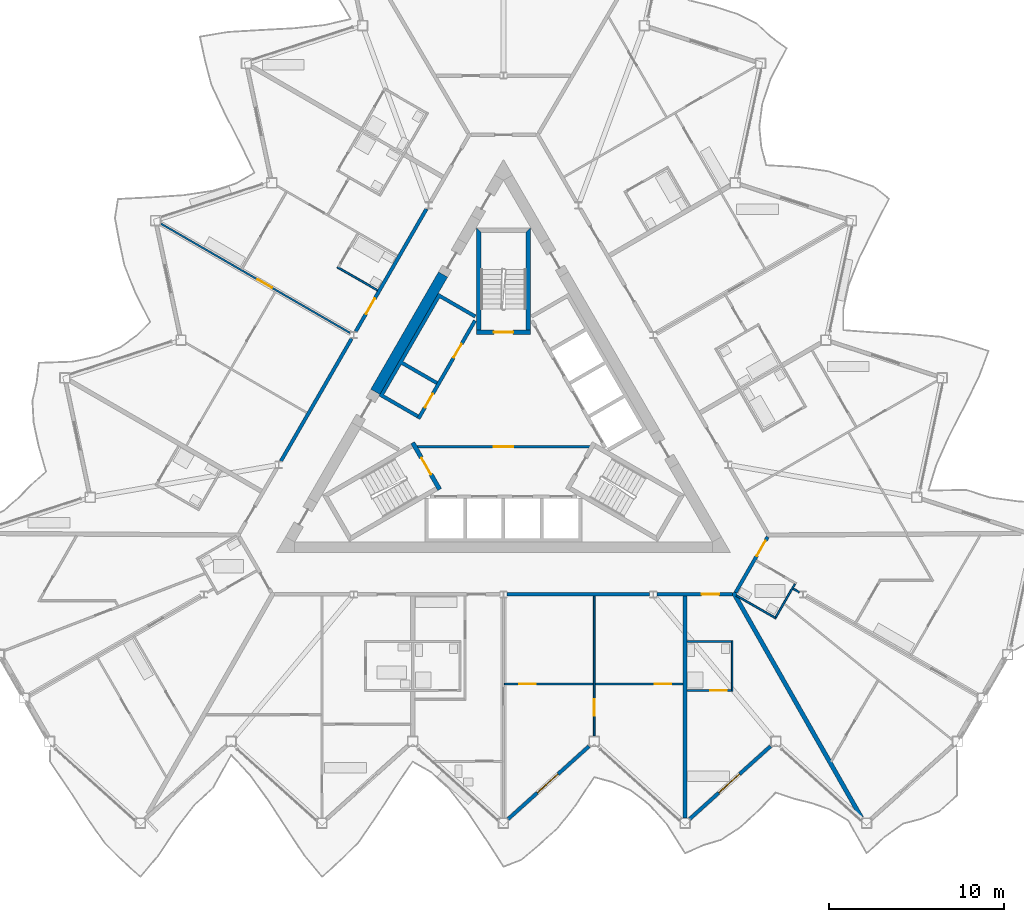
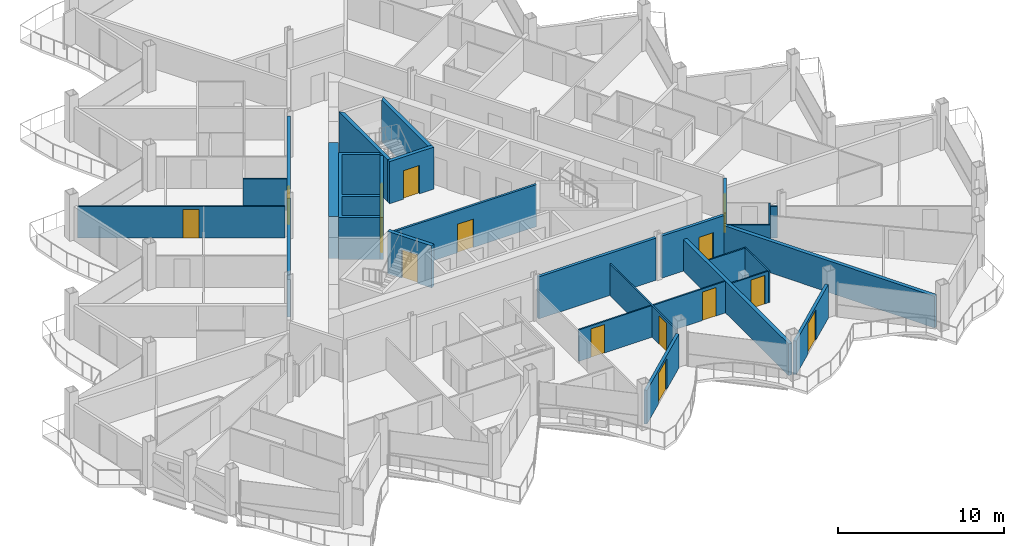
# One storey, part 14 of 26: 27 walls, 15 doors, 15 openings.
"""IFC4 building model written with IfcOpenShell, lengths in metres."""

from ifc_helpers import new_model, si_unit, direction, frame, frame_2d, origin, place, context, subcontext, project, spatial, polyline, rectangle, outline, extrude, material, layer, layer_set, type_object, element, fill, save


model = new_model("IFC4")

# Units and contexts
model_context = context("Model", 3, precision=1e-05, world=origin(), true_north=direction((0.0, 1.0)))
body_context = subcontext(model_context, "Body", "Model", "MODEL_VIEW")
ifc_project = project(units=[si_unit("LENGTHUNIT", "METRE"), si_unit("AREAUNIT", "SQUARE_METRE"), si_unit("VOLUMEUNIT", "CUBIC_METRE"), si_unit("PLANEANGLEUNIT", "RADIAN"), si_unit("MASSUNIT", "GRAM", prefix="KILO")], contexts=[model_context])

# Site, building, storey
site_placement = place(None, origin())
site = spatial("IfcSite", under=ifc_project, at=site_placement, CompositionType="ELEMENT")
building_placement = place(site_placement, origin())
building = spatial("IfcBuilding", under=site, at=building_placement, Name="Cormorant Prow Tower", CompositionType="ELEMENT")
storey_placement = place(building_placement, frame((0.0, 0.0, 339.199951171875)))
storey = spatial("IfcBuildingStorey", under=building, at=storey_placement, Name="L76", CompositionType="ELEMENT", Elevation=339.199951171875)

# Wall, opening, door
ifc_material_1 = material(Name="Gypsum board partition")
ifc_layer_1 = layer(ifc_material_1, 0.14990234375)
ifc_layer_set_1 = layer_set([ifc_layer_1], Name="Gypsum board partition")
wall_type_1 = type_object("IfcWallType", Name="Core partition 150", PredefinedType="PARTITIONING", material=ifc_layer_set_1)
wall_1_placement = place(storey_placement, frame((-4.941162109375, -1.449951171875, 0.0), z_axis=(0.0, 0.0, 1.0), x_axis=(1.0, 0.0, 0.0)))
wall_1 = element("IfcWall", 1, at=wall_1_placement, inside=storey, type_object=wall_type_1, Name="Firefighting lobby partition", PredefinedType="PARTITIONING", context=body_context, shape_type="SweptSolid", body=[
    extrude(rectangle(XDim=9.88232421875, YDim=0.14990234375, at=frame_2d((4.941162109375, 0.0))), origin(), (0.0, 0.0, 1.0), 3.10009765625),
])
opening_1_placement = place(wall_1_placement, frame((4.39111328125, 0.0, 0.0)))
opening_1 = element("IfcOpeningElement", 2, at=opening_1_placement, cuts=wall_1, Name="Opening L76-C11", PredefinedType="OPENING", context=body_context, shape_type="SweptSolid", body=[
    extrude(rectangle(XDim=1.10009765625, YDim=2.10009765625, at=frame_2d((0.550048828125, 1.050048828125))), frame((0.0, 0.0849609375, 0.0), z_axis=(0.0, -1.0, 0.0), x_axis=(1.0, 0.0, 0.0)), (0.0, 0.0, 1.0), 0.169921875),
])
ifc_material_2 = material(Name="Painted steel", Category="steel")
door_type_1 = type_object("IfcDoorType", Name="Firefighting lobby door 1100x2100", OperationType="NOTDEFINED", PredefinedType="DOOR", material=ifc_material_2)
door_1_placement = place(opening_1_placement, origin())
door_1 = element("IfcDoor", 3, at=door_1_placement, inside=storey, type_object=door_type_1, Name="Firefighting lobby door", OperationType="SINGLE_SWING_LEFT", OverallHeight=2.10009765625, OverallWidth=1.10009765625, PredefinedType="DOOR", context=body_context, shape_type="SweptSolid", body=[
    extrude(rectangle(XDim=1.10009765625, YDim=2.10009765625, at=frame_2d((0.550048828125, 1.050048828125))), frame((0.0, 0.02490234375, 0.0), z_axis=(0.0, -1.0, 0.0), x_axis=(1.0, 0.0, 0.0)), (0.0, 0.0, 1.0), 0.050048828125),
])
fill(opening_1, door_1)

# Walls
ifc_material_3 = material(Name="Concrete 8000 psi", Category="concrete")
ifc_layer_2 = layer(ifc_material_3, 0.60009765625)
ifc_layer_set_2 = layer_set([ifc_layer_2], Name="Concrete 8000 psi")
wall_type_2 = type_object("IfcWallType", Name="Core shear wall 600", PredefinedType="SHEAR", material=ifc_layer_set_2)
wall_2_placement = place(storey_placement, frame((-3.460693359375, 8.416748046875, 0.0), z_axis=(0.0, 0.0, 1.0), x_axis=(-0.50000391502, -0.866023143435, 0.0)))
element("IfcWall", 4, at=wall_2_placement, inside=storey, type_object=wall_type_2, Name="Core wall", PredefinedType="SHEAR", context=body_context, shape_type="SweptSolid", body=[
    extrude(rectangle(XDim=7.7587890625, YDim=0.60009765625, at=frame_2d((3.87939453125, 0.0))), origin(), (0.0, 0.0, 1.0), 3.10009765625),
])
ifc_material_4 = material(Name="Gypsum board corridor wall")
ifc_layer_3 = layer(ifc_material_4, 0.199951171875)
ifc_layer_set_3 = layer_set([ifc_layer_3], Name="Gypsum board corridor wall")
wall_type_3 = type_object("IfcWallType", Name="Corridor wall 200", PredefinedType="PARTITIONING", material=ifc_layer_set_3)
wall_3_placement = place(storey_placement, frame((0.207763671875, -9.905517578125, 0.0), z_axis=(0.0, 0.0, 1.0), x_axis=(1.0, 0.0, 0.0)))
element("IfcWall", 5, at=wall_3_placement, inside=storey, type_object=wall_type_3, Name="Corridor wall", PredefinedType="PARTITIONING", context=body_context, shape_type="SweptSolid", body=[
    extrude(rectangle(XDim=8.1630859375, YDim=0.199951171875, at=frame_2d((4.08154296875, 0.0))), origin(), (0.0, 0.0, 1.0), 3.10009765625),
])

# Wall, opening, door
wall_4_placement = place(storey_placement, frame((-8.45849609375, 5.160400390625, 0.0), z_axis=(0.0, 0.0, 1.0), x_axis=(0.499984266882, 0.866034487114, 0.0)))
wall_4 = element("IfcWall", 6, at=wall_4_placement, inside=storey, type_object=wall_type_3, Name="Corridor wall", PredefinedType="PARTITIONING", context=body_context, shape_type="SweptSolid", body=[
    extrude(rectangle(XDim=8.098876953125, YDim=0.199951171875, at=frame_2d((4.04931640625, 0.0))), origin(), (0.0, 0.0, 1.0), 3.10009765625),
])
opening_2_placement = place(wall_4_placement, frame((1.16357421875, 0.0, 0.0)))
opening_2 = element("IfcOpeningElement", 7, at=opening_2_placement, cuts=wall_4, Name="Opening L76-F42", PredefinedType="OPENING", context=body_context, shape_type="SweptSolid", body=[
    extrude(rectangle(XDim=1.0, YDim=2.10009765625, at=frame_2d((0.5, 1.050048828125))), frame((0.0, 0.10986328125, 0.0), z_axis=(0.0, -1.0, 0.0), x_axis=(1.0, 0.0, 0.0)), (0.0, 0.0, 1.0), 0.219970703125),
])
ifc_material_5 = material(Name="Timber door leaf", Category="wood")
door_type_2 = type_object("IfcDoorType", Name="Flat or room entrance door 1000x2100", OperationType="NOTDEFINED", PredefinedType="DOOR", material=ifc_material_5)
door_2_placement = place(opening_2_placement, origin())
door_2 = element("IfcDoor", 8, at=door_2_placement, inside=storey, type_object=door_type_2, Name="Living room door", OperationType="SINGLE_SWING_RIGHT", OverallHeight=2.10009765625, OverallWidth=1.0, PredefinedType="DOOR", context=body_context, shape_type="SweptSolid", body=[
    extrude(rectangle(XDim=1.0, YDim=2.10009765625, at=frame_2d((0.5, 1.050048828125))), frame((0.0, 0.02490234375, 0.0), z_axis=(0.0, -1.0, 0.0), x_axis=(1.0, 0.0, 0.0)), (0.0, 0.0, 1.0), 0.050048828125),
])
fill(opening_2, door_2)

# Wall
wall_5_placement = place(storey_placement, frame((-12.747802734375, -2.268798828125, 0.0), z_axis=(0.0, 0.0, 1.0), x_axis=(0.499984266882, 0.866034487114, 0.0)))
element("IfcWall", 9, at=wall_5_placement, inside=storey, type_object=wall_type_3, Name="Corridor wall", PredefinedType="PARTITIONING", context=body_context, shape_type="SweptSolid", body=[
    extrude(rectangle(XDim=8.098876953125, YDim=0.199951171875, at=frame_2d((4.04931640625, 0.0))), origin(), (0.0, 0.0, 1.0), 3.10009765625),
])

# Wall, opening, door
wall_6_placement = place(storey_placement, frame((8.7861328125, -9.905517578125, 0.0), z_axis=(0.0, 0.0, 1.0), x_axis=(1.0, 0.0, 0.0)))
wall_6 = element("IfcWall", 10, at=wall_6_placement, inside=storey, type_object=wall_type_3, Name="Corridor wall", PredefinedType="PARTITIONING", context=body_context, shape_type="SweptSolid", body=[
    extrude(rectangle(XDim=4.31982421875, YDim=0.199951171875, at=frame_2d((2.159912109375, 0.0))), origin(), (0.0, 0.0, 1.0), 3.10009765625),
])
opening_3_placement = place(wall_6_placement, frame((2.566162109375, 0.0, 0.0)))
opening_3 = element("IfcOpeningElement", 11, at=opening_3_placement, cuts=wall_6, Name="Opening L76-F14", PredefinedType="OPENING", context=body_context, shape_type="SweptSolid", body=[
    extrude(rectangle(XDim=1.0, YDim=2.10009765625, at=frame_2d((0.5, 1.050048828125))), frame((0.0, 0.10986328125, 0.0), z_axis=(0.0, -1.0, 0.0), x_axis=(1.0, 0.0, 0.0)), (0.0, 0.0, 1.0), 0.219970703125),
])
door_3_placement = place(opening_3_placement, origin())
door_3 = element("IfcDoor", 12, at=door_3_placement, inside=storey, type_object=door_type_2, Name="Studio living, kitchen and sleeping room door", OperationType="SINGLE_SWING_RIGHT", OverallHeight=2.10009765625, OverallWidth=1.0, PredefinedType="DOOR", context=body_context, shape_type="SweptSolid", body=[
    extrude(rectangle(XDim=1.0, YDim=2.10009765625, at=frame_2d((0.5, 1.050048828125))), frame((0.0, 0.02490234375, 0.0), z_axis=(0.0, -1.0, 0.0), x_axis=(1.0, 0.0, 0.0)), (0.0, 0.0, 1.0), 0.050048828125),
])
fill(opening_3, door_3)

wall_7_placement = place(storey_placement, frame((13.29345703125, -9.79736328125, 0.0), z_axis=(0.0, 0.0, 1.0), x_axis=(0.499967746641, 0.866044024469, 0.0)))
wall_7 = element("IfcWall", 13, at=wall_7_placement, inside=storey, type_object=wall_type_3, Name="Corridor wall", PredefinedType="PARTITIONING", context=body_context, shape_type="SweptSolid", body=[
    extrude(rectangle(XDim=3.676025390625, YDim=0.199951171875, at=frame_2d((1.837890625, 0.0))), origin(), (0.0, 0.0, 1.0), 3.10009765625),
])
opening_4_placement = place(wall_7_placement, frame((2.426025390625, 0.0, 0.0)))
opening_4 = element("IfcOpeningElement", 14, at=opening_4_placement, cuts=wall_7, Name="Opening L76-F16", PredefinedType="OPENING", context=body_context, shape_type="SweptSolid", body=[
    extrude(rectangle(XDim=1.0, YDim=2.10009765625, at=frame_2d((0.5, 1.050048828125))), frame((0.0, 0.10986328125, 0.0), z_axis=(0.0, -1.0, 0.0), x_axis=(1.0, 0.0, 0.0)), (0.0, 0.0, 1.0), 0.219970703125),
])
door_4_placement = place(opening_4_placement, origin())
door_4 = element("IfcDoor", 15, at=door_4_placement, inside=storey, type_object=door_type_2, Name="Living room door", OperationType="SINGLE_SWING_RIGHT", OverallHeight=2.10009765625, OverallWidth=1.0, PredefinedType="DOOR", context=body_context, shape_type="SweptSolid", body=[
    extrude(rectangle(XDim=1.0, YDim=2.10009765625, at=frame_2d((0.5, 1.050048828125))), frame((0.0, 0.02490234375, 0.0), z_axis=(0.0, -1.0, 0.0), x_axis=(1.0, 0.0, 0.0)), (0.0, 0.0, 1.0), 0.050048828125),
])
fill(opening_4, door_4)

ifc_material_6 = material(Name="Gypsum board partition")
ifc_layer_4 = layer(ifc_material_6, 0.10009765625)
ifc_layer_set_4 = layer_set([ifc_layer_4], Name="Gypsum board partition")
wall_type_4 = type_object("IfcWallType", Name="Internal partition 100", PredefinedType="PARTITIONING", material=ifc_layer_set_4)
wall_8_placement = place(storey_placement, frame((-19.615478515625, 11.3251953125, 0.0), z_axis=(0.0, 0.0, 1.0), x_axis=(0.86602139559, -0.500006942333, 0.0)))
wall_8 = element("IfcWall", 16, at=wall_8_placement, inside=storey, type_object=wall_type_4, Name="Internal partition", PredefinedType="PARTITIONING", context=body_context, shape_type="SweptSolid", body=[
    extrude(rectangle(XDim=12.504638671875, YDim=0.10009765625, at=frame_2d((6.25244140625, 0.0))), origin(), (0.0, 0.0, 1.0), 2.330078125),
])
opening_5_placement = place(wall_8_placement, frame((6.38037109375, 0.0, 0.0)))
opening_5 = element("IfcOpeningElement", 17, at=opening_5_placement, cuts=wall_8, Name="Opening L76-F47", PredefinedType="OPENING", context=body_context, shape_type="SweptSolid", body=[
    extrude(rectangle(XDim=0.949951171875, YDim=2.10009765625, at=frame_2d((0.47509765625, 1.050048828125))), frame((0.0, 0.06005859375, 0.0), z_axis=(0.0, -1.0, 0.0), x_axis=(1.0, 0.0, 0.0)), (0.0, 0.0, 1.0), 0.1201171875),
])
ifc_material_7 = material(Name="Timber door leaf", Category="wood")
door_type_3 = type_object("IfcDoorType", Name="Bathroom door 950x2100", OperationType="NOTDEFINED", PredefinedType="DOOR", material=ifc_material_7)
door_5_placement = place(opening_5_placement, origin())
door_5 = element("IfcDoor", 18, at=door_5_placement, inside=storey, type_object=door_type_3, Name="Living room door", OperationType="SINGLE_SWING_RIGHT", OverallHeight=2.10009765625, OverallWidth=0.949951171875, PredefinedType="DOOR", context=body_context, shape_type="SweptSolid", body=[
    extrude(rectangle(XDim=0.949951171875, YDim=2.10009765625, at=frame_2d((0.47509765625, 1.050048828125))), frame((0.0, 0.02490234375, 0.0), z_axis=(0.0, -1.0, 0.0), x_axis=(1.0, 0.0, 0.0)), (0.0, 0.0, 1.0), 0.050048828125),
])
fill(opening_5, door_5)

# Wall, openings, doors
wall_9_placement = place(storey_placement, frame((0.050048828125, -15.033447265625, 0.0), z_axis=(0.0, 0.0, 1.0), x_axis=(1.0, 0.0, 0.0)))
wall_9 = element("IfcWall", 19, at=wall_9_placement, inside=storey, type_object=wall_type_4, Name="Internal partition", PredefinedType="PARTITIONING", context=body_context, shape_type="SweptSolid", body=[
    extrude(rectangle(XDim=10.219970703125, YDim=0.10009765625, at=frame_2d((5.10986328125, 0.0))), origin(), (0.0, 0.0, 1.0), 2.330078125),
])
opening_6_placement = place(wall_9_placement, frame((0.854736328125, 0.0, 0.0)))
opening_6 = element("IfcOpeningElement", 20, at=opening_6_placement, cuts=wall_9, Name="Opening L76-F10", PredefinedType="OPENING", context=body_context, shape_type="SweptSolid", body=[
    extrude(rectangle(XDim=0.949951171875, YDim=2.10009765625, at=frame_2d((0.47509765625, 1.050048828125))), frame((0.0, 0.06005859375, 0.0), z_axis=(0.0, -1.0, 0.0), x_axis=(1.0, 0.0, 0.0)), (0.0, 0.0, 1.0), 0.1201171875),
])
opening_7_placement = place(wall_9_placement, frame((8.616943359375, 0.0, 0.0)))
opening_7 = element("IfcOpeningElement", 21, at=opening_7_placement, cuts=wall_9, Name="Opening L76-F12", PredefinedType="OPENING", context=body_context, shape_type="SweptSolid", body=[
    extrude(rectangle(XDim=0.949951171875, YDim=2.10009765625, at=frame_2d((0.47509765625, 1.050048828125))), frame((0.0, 0.06005859375, 0.0), z_axis=(0.0, -1.0, 0.0), x_axis=(1.0, 0.0, 0.0)), (0.0, 0.0, 1.0), 0.1201171875),
])
door_6_placement = place(opening_6_placement, origin())
door_6 = element("IfcDoor", 22, at=door_6_placement, inside=storey, type_object=door_type_3, Name="Bedroom door", OperationType="SINGLE_SWING_LEFT", OverallHeight=2.10009765625, OverallWidth=0.949951171875, PredefinedType="DOOR", context=body_context, shape_type="SweptSolid", body=[
    extrude(rectangle(XDim=0.949951171875, YDim=2.10009765625, at=frame_2d((0.47509765625, 1.050048828125))), frame((0.0, 0.02490234375, 0.0), z_axis=(0.0, -1.0, 0.0), x_axis=(1.0, 0.0, 0.0)), (0.0, 0.0, 1.0), 0.050048828125),
])
fill(opening_6, door_6)
door_7_placement = place(opening_7_placement, origin())
door_7 = element("IfcDoor", 23, at=door_7_placement, inside=storey, type_object=door_type_3, Name="Bedroom door", OperationType="SINGLE_SWING_RIGHT", OverallHeight=2.10009765625, OverallWidth=0.949951171875, PredefinedType="DOOR", context=body_context, shape_type="SweptSolid", body=[
    extrude(rectangle(XDim=0.949951171875, YDim=2.10009765625, at=frame_2d((0.47509765625, 1.050048828125))), frame((0.0, 0.02490234375, 0.0), z_axis=(0.0, -1.0, 0.0), x_axis=(1.0, 0.0, 0.0)), (0.0, 0.0, 1.0), 0.050048828125),
])
fill(opening_7, door_7)

# Wall, opening, door
wall_10_placement = place(storey_placement, frame((5.197509765625, -18.016845703125, 0.0), z_axis=(0.0, 0.0, 1.0), x_axis=(0.0, 1.0, 0.0)))
wall_10 = element("IfcWall", 24, at=wall_10_placement, inside=storey, type_object=wall_type_4, Name="Internal partition", PredefinedType="PARTITIONING", context=body_context, shape_type="SweptSolid", body=[
    extrude(rectangle(XDim=8.01123046875, YDim=0.10009765625, at=frame_2d((4.005615234375, 0.0))), origin(), (0.0, 0.0, 1.0), 2.330078125),
])
opening_8_placement = place(wall_10_placement, frame((1.158447265625, 0.0, 0.0)))
opening_8 = element("IfcOpeningElement", 25, at=opening_8_placement, cuts=wall_10, Name="Opening L76-F11", PredefinedType="OPENING", context=body_context, shape_type="SweptSolid", body=[
    extrude(rectangle(XDim=0.949951171875, YDim=2.10009765625, at=frame_2d((0.47509765625, 1.050048828125))), frame((0.0, 0.06005859375, 0.0), z_axis=(0.0, -1.0, 0.0), x_axis=(1.0, 0.0, 0.0)), (0.0, 0.0, 1.0), 0.1201171875),
])
door_8_placement = place(opening_8_placement, origin())
door_8 = element("IfcDoor", 26, at=door_8_placement, inside=storey, type_object=door_type_3, Name="Bedroom door", OperationType="SINGLE_SWING_RIGHT", OverallHeight=2.10009765625, OverallWidth=0.949951171875, PredefinedType="DOOR", context=body_context, shape_type="SweptSolid", body=[
    extrude(rectangle(XDim=0.949951171875, YDim=2.10009765625, at=frame_2d((0.47509765625, 1.050048828125))), frame((0.0, 0.02490234375, 0.0), z_axis=(0.0, -1.0, 0.0), x_axis=(1.0, 0.0, 0.0)), (0.0, 0.0, 1.0), 0.050048828125),
])
fill(opening_8, door_8)

# Walls
wall_11_placement = place(storey_placement, frame((13.09521484375, -15.45556640625, 0.0), z_axis=(0.0, 0.0, 1.0), x_axis=(0.0, 1.0, 0.0)))
element("IfcWall", 27, at=wall_11_placement, inside=storey, type_object=wall_type_4, Name="Internal partition", PredefinedType="PARTITIONING", context=body_context, shape_type="SweptSolid", body=[
    extrude(rectangle(XDim=2.89990234375, YDim=0.10009765625, at=frame_2d((1.449951171875, 0.0))), origin(), (0.0, 0.0, 1.0), 2.330078125),
])
wall_12_placement = place(storey_placement, frame((10.52001953125, -12.605712890625, 0.0), z_axis=(0.0, 0.0, 1.0), x_axis=(1.0, 0.0, 0.0)))
element("IfcWall", 28, at=wall_12_placement, inside=storey, type_object=wall_type_4, Name="Internal partition", PredefinedType="PARTITIONING", context=body_context, shape_type="SweptSolid", body=[
    extrude(rectangle(XDim=2.525146484375, YDim=0.10009765625, at=frame_2d((1.2626953125, 0.0))), origin(), (0.0, 0.0, 1.0), 2.330078125),
])

# Wall, opening, door
wall_13_placement = place(storey_placement, frame((10.52001953125, -15.405517578125, 0.0), z_axis=(0.0, 0.0, 1.0), x_axis=(1.0, 0.0, 0.0)))
wall_13 = element("IfcWall", 29, at=wall_13_placement, inside=storey, type_object=wall_type_4, Name="Internal partition", PredefinedType="PARTITIONING", context=body_context, shape_type="SweptSolid", body=[
    extrude(rectangle(XDim=2.525146484375, YDim=0.10009765625, at=frame_2d((1.2626953125, 0.0))), origin(), (0.0, 0.0, 1.0), 2.330078125),
])
opening_9_placement = place(wall_13_placement, frame((1.324951171875, 0.0, 0.0)))
opening_9 = element("IfcOpeningElement", 30, at=opening_9_placement, cuts=wall_13, Name="Opening L76-F15", PredefinedType="OPENING", context=body_context, shape_type="SweptSolid", body=[
    extrude(rectangle(XDim=0.949951171875, YDim=2.10009765625, at=frame_2d((0.47509765625, 1.050048828125))), frame((0.0, 0.06005859375, 0.0), z_axis=(0.0, -1.0, 0.0), x_axis=(1.0, 0.0, 0.0)), (0.0, 0.0, 1.0), 0.1201171875),
])
door_9_placement = place(opening_9_placement, origin())
door_9 = element("IfcDoor", 31, at=door_9_placement, inside=storey, type_object=door_type_3, Name="Studio living, kitchen and sleeping room door", OperationType="SINGLE_SWING_RIGHT", OverallHeight=2.10009765625, OverallWidth=0.949951171875, PredefinedType="DOOR", context=body_context, shape_type="SweptSolid", body=[
    extrude(rectangle(XDim=0.949951171875, YDim=2.10009765625, at=frame_2d((0.47509765625, 1.050048828125))), frame((0.0, 0.02490234375, 0.0), z_axis=(0.0, -1.0, 0.0), x_axis=(1.0, 0.0, 0.0)), (0.0, 0.0, 1.0), 0.050048828125),
])
fill(opening_9, door_9)

# Walls
wall_14_placement = place(storey_placement, frame((-9.51123046875, 8.837158203125, 0.0), z_axis=(0.0, 0.0, 1.0), x_axis=(0.866029095148, -0.499993606316, 0.0)))
element("IfcWall", 32, at=wall_14_placement, inside=storey, type_object=wall_type_4, Name="Internal partition", PredefinedType="PARTITIONING", context=body_context, shape_type="SweptSolid", body=[
    extrude(rectangle(XDim=2.64990234375, YDim=0.10009765625, at=frame_2d((1.324951171875, 0.0))), origin(), (0.0, 0.0, 1.0), 2.330078125),
])
wall_15_placement = place(storey_placement, frame((13.339111328125, -9.968017578125, 0.0), z_axis=(0.0, 0.0, 1.0), x_axis=(0.866036909293, -0.499980071345, 0.0)))
element("IfcWall", 33, at=wall_15_placement, inside=storey, type_object=wall_type_4, Name="Internal partition", PredefinedType="PARTITIONING", context=body_context, shape_type="SweptSolid", body=[
    extrude(rectangle(XDim=2.625, YDim=0.10009765625, at=frame_2d((1.3125, 0.0))), origin(), (0.0, 0.0, 1.0), 2.330078125),
])
wall_16_placement = place(storey_placement, frame((15.59423828125, -11.21240234375, 0.0), z_axis=(0.0, 0.0, 1.0), x_axis=(0.499898558967, 0.866083962871, 0.0)))
element("IfcWall", 34, at=wall_16_placement, inside=storey, type_object=wall_type_4, Name="Internal partition", PredefinedType="PARTITIONING", context=body_context, shape_type="SweptSolid", body=[
    extrude(rectangle(XDim=2.2001953125, YDim=0.10009765625, at=frame_2d((1.10009765625, 0.0))), origin(), (0.0, 0.0, 1.0), 2.330078125),
])
wall_17_placement = place(storey_placement, frame((16.593994140625, -9.58056640625, 0.0), z_axis=(0.0, 0.0, 1.0), x_axis=(0.866036909293, -0.499980071345, 0.0)))
element("IfcWall", 35, at=wall_17_placement, inside=storey, type_object=wall_type_4, Name="Internal partition", PredefinedType="PARTITIONING", context=body_context, shape_type="SweptSolid", body=[
    extrude(rectangle(XDim=0.41015625, YDim=0.10009765625, at=frame_2d((0.205078125, 0.0))), origin(), (0.0, 0.0, 1.0), 2.330078125),
])

# Wall, openings, doors
ifc_material_8 = material(Name="Concrete 5000 psi", Category="concrete")
ifc_layer_5 = layer(ifc_material_8, 0.199951171875)
ifc_layer_set_5 = layer_set([ifc_layer_5], Name="Concrete 5000 psi")
wall_type_5 = type_object("IfcWallType", Name="Lift lobby wall 200", PredefinedType="SOLIDWALL", material=ifc_layer_set_5)
wall_18_placement = place(storey_placement, frame((-1.630615234375, 5.775634765625, 0.0), z_axis=(0.0, 0.0, 1.0), x_axis=(-0.499992876559, -0.866029516466, 0.0)))
wall_18 = element("IfcWall", 36, at=wall_18_placement, inside=storey, type_object=wall_type_5, Name="Lift lobby wall, WNW block", PredefinedType="SOLIDWALL", context=body_context, shape_type="SweptSolid", body=[
    extrude(rectangle(XDim=6.486328125, YDim=0.199951171875, at=frame_2d((3.2431640625, 0.0))), origin(), (0.0, 0.0, 1.0), 3.10009765625),
])
opening_10_placement = place(wall_18_placement, frame((1.53662109375, 0.0, 0.0)))
opening_10 = element("IfcOpeningElement", 37, at=opening_10_placement, cuts=wall_18, Name="Opening L76-C09", PredefinedType="OPENING", context=body_context, shape_type="SweptSolid", body=[
    extrude(rectangle(XDim=0.89990234375, YDim=2.10009765625, at=frame_2d((0.449951171875, 1.050048828125))), frame((0.0, 0.10986328125, 0.0), z_axis=(0.0, -1.0, 0.0), x_axis=(1.0, 0.0, 0.0)), (0.0, 0.0, 1.0), 0.219970703125),
])
opening_11_placement = place(wall_18_placement, frame((4.836669921875, 0.0, 0.0)))
opening_11 = element("IfcOpeningElement", 38, at=opening_11_placement, cuts=wall_18, Name="Opening L76-C10", PredefinedType="OPENING", context=body_context, shape_type="SweptSolid", body=[
    extrude(rectangle(XDim=0.89990234375, YDim=2.10009765625, at=frame_2d((0.449951171875, 1.050048828125))), frame((0.0, 0.10986328125, 0.0), z_axis=(0.0, -1.0, 0.0), x_axis=(1.0, 0.0, 0.0)), (0.0, 0.0, 1.0), 0.219970703125),
])
ifc_material_9 = material(Name="Painted steel", Category="steel")
door_type_4 = type_object("IfcDoorType", Name="Service door 900x2100", OperationType="NOTDEFINED", PredefinedType="DOOR", material=ifc_material_9)
door_10_placement = place(opening_10_placement, origin())
door_10 = element("IfcDoor", 39, at=door_10_placement, inside=storey, type_object=door_type_4, Name="Service door, Refuse store", OperationType="SINGLE_SWING_LEFT", OverallHeight=2.10009765625, OverallWidth=0.89990234375, PredefinedType="DOOR", context=body_context, shape_type="SweptSolid", body=[
    extrude(rectangle(XDim=0.89990234375, YDim=2.10009765625, at=frame_2d((0.449951171875, 1.050048828125))), frame((0.0, 0.02490234375, 0.0), z_axis=(0.0, -1.0, 0.0), x_axis=(1.0, 0.0, 0.0)), (0.0, 0.0, 1.0), 0.050048828125),
])
fill(opening_10, door_10)
door_11_placement = place(opening_11_placement, origin())
door_11 = element("IfcDoor", 40, at=door_11_placement, inside=storey, type_object=door_type_4, Name="Service door, Telecom room", OperationType="SINGLE_SWING_LEFT", OverallHeight=2.10009765625, OverallWidth=0.89990234375, PredefinedType="DOOR", context=body_context, shape_type="SweptSolid", body=[
    extrude(rectangle(XDim=0.89990234375, YDim=2.10009765625, at=frame_2d((0.449951171875, 1.050048828125))), frame((0.0, 0.02490234375, 0.0), z_axis=(0.0, -1.0, 0.0), x_axis=(1.0, 0.0, 0.0)), (0.0, 0.0, 1.0), 0.050048828125),
])
fill(opening_11, door_11)

# Wall
ifc_material_10 = material(Name="Concrete 8000 psi", Category="concrete")
ifc_layer_6 = layer(ifc_material_10, 0.199951171875)
ifc_layer_set_6 = layer_set([ifc_layer_6], Name="Concrete 8000 psi")
wall_type_6 = type_object("IfcWallType", Name="Lift shaft wall 200", PredefinedType="SHEAR", material=ifc_layer_set_6)
wall_19_placement = place(storey_placement, origin())
element("IfcWall", 41, at=wall_19_placement, inside=storey, type_object=wall_type_6, Name="Lift shaft walls, WNW block", PredefinedType="SHEAR", context=body_context, shape_type="SweptSolid", body=[
    extrude(outline(polyline([(-4.96044921875, 0.2080078125), (-7.130859375, 1.461181640625), (-3.730712890625, 7.35009765625), (-1.560546875, 6.09716796875), (-1.660400390625, 5.923828125), (-3.65234375, 7.073974609375), (-5.75244140625, 3.4365234375), (-3.760498046875, 2.28662109375), (-3.860595703125, 2.11328125), (-5.852294921875, 3.263427734375), (-6.852294921875, 1.53125), (-4.860595703125, 0.38134765625), (-4.96044921875, 0.2080078125)])), origin(), (0.0, 0.0, 1.0), 3.10009765625),
])

# Wall, opening, door
ifc_material_11 = material(Name="Concrete 8000 psi", Category="concrete")
ifc_layer_7 = layer(ifc_material_11, 0.25)
ifc_layer_set_7 = layer_set([ifc_layer_7], Name="Concrete 8000 psi")
wall_type_7 = type_object("IfcWallType", Name="Stair wall 250", PredefinedType="SHEAR", material=ifc_layer_set_7)
wall_20_placement = place(storey_placement, frame((-5.198974609375, -1.21875, 0.0), z_axis=(0.0, 0.0, 1.0), x_axis=(0.499982516597, -0.866035497597, 0.0)))
wall_20 = element("IfcWall", 42, at=wall_20_placement, inside=storey, type_object=wall_type_7, Name="Stair ST1 door wall", PredefinedType="SHEAR", context=body_context, shape_type="SweptSolid", body=[
    extrude(rectangle(XDim=3.087890625, YDim=0.25, at=frame_2d((1.5439453125, 0.0))), origin(), (0.0, 0.0, 1.0), 3.10009765625),
])
opening_12_placement = place(wall_20_placement, frame((0.993896484375, 0.0, 0.0)))
opening_12 = element("IfcOpeningElement", 43, at=opening_12_placement, cuts=wall_20, Name="Opening L76-C12", PredefinedType="OPENING", context=body_context, shape_type="SweptSolid", body=[
    extrude(rectangle(XDim=1.10009765625, YDim=2.10009765625, at=frame_2d((0.550048828125, 1.050048828125))), frame((0.0, 0.135009765625, 0.0), z_axis=(0.0, -1.0, 0.0), x_axis=(1.0, 0.0, 0.0)), (0.0, 0.0, 1.0), 0.27001953125),
])
ifc_material_12 = material(Name="Painted steel", Category="steel")
door_type_5 = type_object("IfcDoorType", Name="Stair door 1100x2100", OperationType="NOTDEFINED", PredefinedType="DOOR", material=ifc_material_12)
door_12_placement = place(opening_12_placement, origin())
door_12 = element("IfcDoor", 44, at=door_12_placement, inside=storey, type_object=door_type_5, Name="Stair ST1 door", OperationType="SINGLE_SWING_LEFT", OverallHeight=2.10009765625, OverallWidth=1.10009765625, PredefinedType="DOOR", context=body_context, shape_type="SweptSolid", body=[
    extrude(rectangle(XDim=1.10009765625, YDim=2.10009765625, at=frame_2d((0.550048828125, 1.050048828125))), frame((0.0, 0.02490234375, 0.0), z_axis=(0.0, -1.0, 0.0), x_axis=(1.0, 0.0, 0.0)), (0.0, 0.0, 1.0), 0.050048828125),
])
fill(opening_12, door_12)

# Walls
wall_21_placement = place(storey_placement, origin())
element("IfcWall", 45, at=wall_21_placement, inside=storey, type_object=wall_type_7, Name="Stair ST3 enclosure wall (flank)", PredefinedType="SHEAR", context=body_context, shape_type="SweptSolid", body=[
    extrude(outline(polyline([(1.5439453125, 5.23681640625), (1.5439453125, 11.0869140625), (1.2939453125, 10.8369140625), (1.2939453125, 5.23681640625), (1.5439453125, 5.23681640625)])), origin(), (0.0, 0.0, 1.0), 3.10009765625),
])
wall_22_placement = place(storey_placement, origin())
element("IfcWall", 46, at=wall_22_placement, inside=storey, type_object=wall_type_7, Name="Stair ST3 enclosure wall (flank)", PredefinedType="SHEAR", context=body_context, shape_type="SweptSolid", body=[
    extrude(outline(polyline([(-1.2939453125, 10.8369140625), (-1.5439453125, 11.0869140625), (-1.5439453125, 5.23681640625), (-1.2939453125, 5.23681640625), (-1.2939453125, 10.8369140625)])), origin(), (0.0, 0.0, 1.0), 3.10009765625),
])

# Wall, opening, door
wall_23_placement = place(storey_placement, frame((1.5439453125, 5.11181640625, 0.0), z_axis=(0.0, 0.0, 1.0), x_axis=(-1.0, 0.0, 0.0)))
wall_23 = element("IfcWall", 47, at=wall_23_placement, inside=storey, type_object=wall_type_7, Name="Stair ST3 door wall", PredefinedType="SHEAR", context=body_context, shape_type="SweptSolid", body=[
    extrude(rectangle(XDim=3.087890625, YDim=0.25, at=frame_2d((1.5439453125, 0.0))), origin(), (0.0, 0.0, 1.0), 3.10009765625),
])
opening_13_placement = place(wall_23_placement, frame((0.993896484375, 0.0, 0.0)))
opening_13 = element("IfcOpeningElement", 48, at=opening_13_placement, cuts=wall_23, Name="Opening L76-C14", PredefinedType="OPENING", context=body_context, shape_type="SweptSolid", body=[
    extrude(rectangle(XDim=1.10009765625, YDim=2.10009765625, at=frame_2d((0.550048828125, 1.050048828125))), frame((0.0, 0.135009765625, 0.0), z_axis=(0.0, -1.0, 0.0), x_axis=(1.0, 0.0, 0.0)), (0.0, 0.0, 1.0), 0.27001953125),
])
door_13_placement = place(opening_13_placement, origin())
door_13 = element("IfcDoor", 49, at=door_13_placement, inside=storey, type_object=door_type_5, Name="Stair ST3 door", OperationType="SINGLE_SWING_RIGHT", OverallHeight=2.10009765625, OverallWidth=1.10009765625, PredefinedType="DOOR", context=body_context, shape_type="SweptSolid", body=[
    extrude(rectangle(XDim=1.10009765625, YDim=2.10009765625, at=frame_2d((0.550048828125, 1.050048828125))), frame((0.0, 0.02490234375, 0.0), z_axis=(0.0, -1.0, 0.0), x_axis=(1.0, 0.0, 0.0)), (0.0, 0.0, 1.0), 0.050048828125),
])
fill(opening_13, door_13)

# Walls
ifc_material_13 = material(Name="Acoustic gypsum party wall")
ifc_layer_8 = layer(ifc_material_13, 0.25)
ifc_layer_set_8 = layer_set([ifc_layer_8], Name="Acoustic gypsum party wall")
wall_type_8 = type_object("IfcWallType", Name="Suite party wall 250", PredefinedType="PARTITIONING", material=ifc_layer_set_8)
wall_24_placement = place(storey_placement, frame((13.1689453125, -9.796875, 0.0), z_axis=(0.0, 0.0, 1.0), x_axis=(0.494414335079, -0.869226360201, 0.0)))
element("IfcWall", 50, at=wall_24_placement, inside=storey, type_object=wall_type_8, Name="Suite party wall", PredefinedType="PARTITIONING", context=body_context, shape_type="SweptSolid", body=[
    extrude(rectangle(XDim=14.842041015625, YDim=0.25, at=frame_2d((7.4208984375, 0.0))), origin(), (0.0, 0.0, 1.0), 2.330078125),
])
wall_25_placement = place(storey_placement, frame((10.39501953125, -22.697998046875, 0.0), z_axis=(0.0, 0.0, 1.0), x_axis=(0.0, 1.0, 0.0)))
element("IfcWall", 51, at=wall_25_placement, inside=storey, type_object=wall_type_8, Name="Suite party wall", PredefinedType="PARTITIONING", context=body_context, shape_type="SweptSolid", body=[
    extrude(rectangle(XDim=12.6923828125, YDim=0.25, at=frame_2d((6.34619140625, 0.0))), origin(), (0.0, 0.0, 1.0), 2.330078125),
])

# Wall, opening, door
ifc_material_14 = material(Name="Terracotta", Category="masonry")
ifc_layer_9 = layer(ifc_material_14, 0.199951171875)
ifc_layer_set_9 = layer_set([ifc_layer_9], Name="Terracotta")
wall_type_9 = type_object("IfcWallType", Name="Terracotta jamb wall 200", PredefinedType="SOLIDWALL", material=ifc_layer_set_9)
wall_26_placement = place(storey_placement, frame((0.255615234375, -22.78076171875, 0.0), z_axis=(0.0, 0.0, 1.0), x_axis=(0.743138703901, 0.669137404995, 0.0)))
wall_26 = element("IfcWall", 52, at=wall_26_placement, inside=storey, type_object=wall_type_9, Name="Terracotta jamb wall S05", PredefinedType="SOLIDWALL", context=body_context, shape_type="SweptSolid", body=[
    extrude(rectangle(XDim=6.24853515625, YDim=0.199951171875, at=frame_2d((3.124267578125, 0.0))), origin(), (0.0, 0.0, 1.0), 2.488037109375),
])
opening_14_placement = place(wall_26_placement, frame((2.262939453125, 0.0, 0.0)))
opening_14 = element("IfcOpeningElement", 53, at=opening_14_placement, cuts=wall_26, Name="Opening ED76.03", PredefinedType="OPENING", context=body_context, shape_type="SweptSolid", body=[
    extrude(rectangle(XDim=1.60009765625, YDim=2.25, at=frame_2d((0.800048828125, 1.125))), frame((0.0, 0.10986328125, 0.0), z_axis=(0.0, -1.0, 0.0), x_axis=(1.0, 0.0, 0.0)), (0.0, 0.0, 1.0), 0.219970703125),
])
ifc_material_15 = material(Name="Aluminium 6063-T6", Category="aluminium")
door_type_6 = type_object("IfcDoorType", Name="Balcony door 1600x2250", OperationType="DOUBLE_DOOR_SINGLE_SWING", PredefinedType="DOOR", material=ifc_material_15)
door_14_placement = place(opening_14_placement, origin())
door_14 = element("IfcDoor", 54, at=door_14_placement, inside=storey, type_object=door_type_6, Name="Balcony door S05 ED76.03", OperationType="DOUBLE_DOOR_SINGLE_SWING", OverallHeight=2.25, OverallWidth=1.60009765625, PredefinedType="DOOR", context=body_context, shape_type="SweptSolid", body=[
    extrude(rectangle(XDim=1.60009765625, YDim=2.25, at=frame_2d((0.800048828125, 1.125))), frame((0.0, 0.02490234375, 0.0), z_axis=(0.0, -1.0, 0.0), x_axis=(1.0, 0.0, 0.0)), (0.0, 0.0, 1.0), 0.050048828125),
])
fill(opening_14, door_14)

wall_27_placement = place(storey_placement, frame((10.650634765625, -22.78076171875, 0.0), z_axis=(0.0, 0.0, 1.0), x_axis=(0.743154335217, 0.669120044572, 0.0)))
wall_27 = element("IfcWall", 55, at=wall_27_placement, inside=storey, type_object=wall_type_9, Name="Terracotta jamb wall S07", PredefinedType="SOLIDWALL", context=body_context, shape_type="SweptSolid", body=[
    extrude(rectangle(XDim=6.25244140625, YDim=0.199951171875, at=frame_2d((3.126220703125, 0.0))), origin(), (0.0, 0.0, 1.0), 2.488037109375),
])
opening_15_placement = place(wall_27_placement, frame((2.262939453125, 0.0, 0.0)))
opening_15 = element("IfcOpeningElement", 56, at=opening_15_placement, cuts=wall_27, Name="Opening ED76.04", PredefinedType="OPENING", context=body_context, shape_type="SweptSolid", body=[
    extrude(rectangle(XDim=1.60009765625, YDim=2.25, at=frame_2d((0.800048828125, 1.125))), frame((0.0, 0.10986328125, 0.0), z_axis=(0.0, -1.0, 0.0), x_axis=(1.0, 0.0, 0.0)), (0.0, 0.0, 1.0), 0.219970703125),
])
door_15_placement = place(opening_15_placement, origin())
door_15 = element("IfcDoor", 57, at=door_15_placement, inside=storey, type_object=door_type_6, Name="Balcony door S07 ED76.04", OperationType="DOUBLE_DOOR_SINGLE_SWING", OverallHeight=2.25, OverallWidth=1.60009765625, PredefinedType="DOOR", context=body_context, shape_type="SweptSolid", body=[
    extrude(rectangle(XDim=1.60009765625, YDim=2.25, at=frame_2d((0.800048828125, 1.125))), frame((0.0, 0.02490234375, 0.0), z_axis=(0.0, -1.0, 0.0), x_axis=(1.0, 0.0, 0.0)), (0.0, 0.0, 1.0), 0.050048828125),
])
fill(opening_15, door_15)

save(model, "model.ifc")
